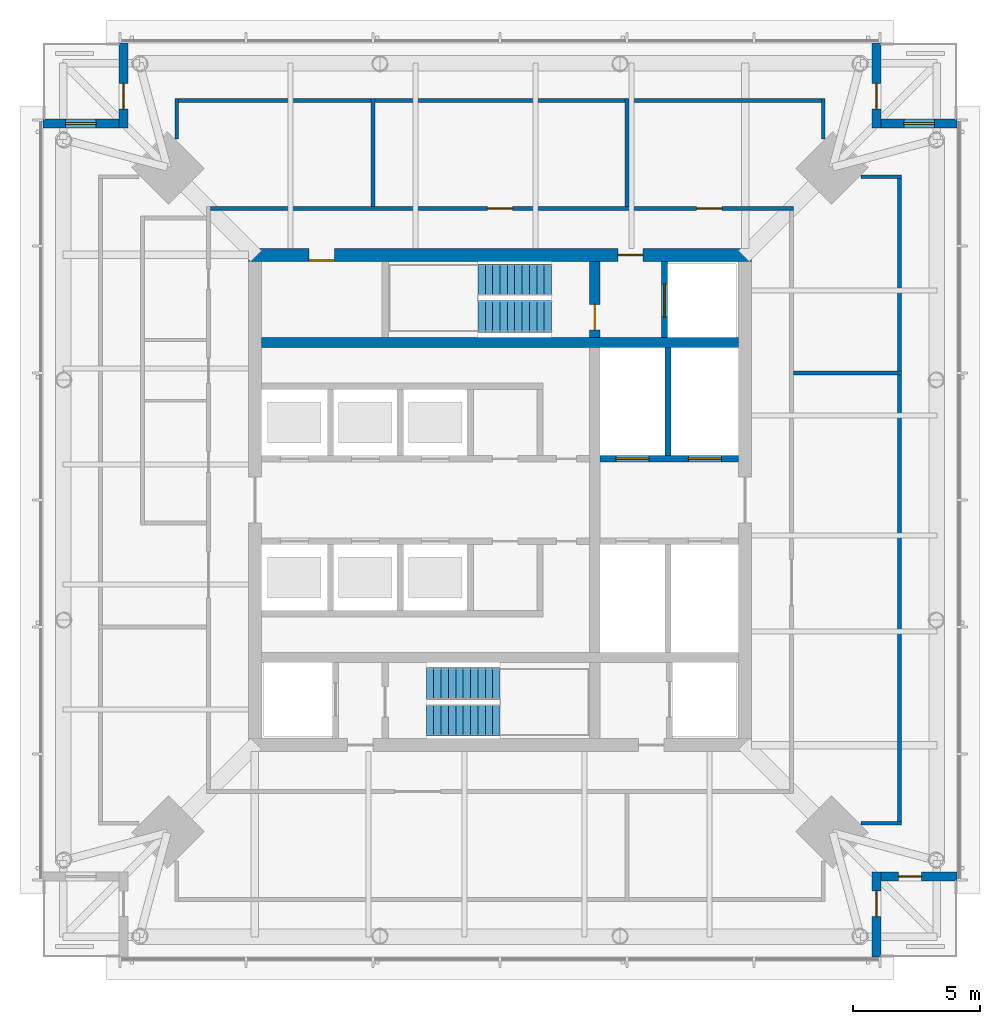
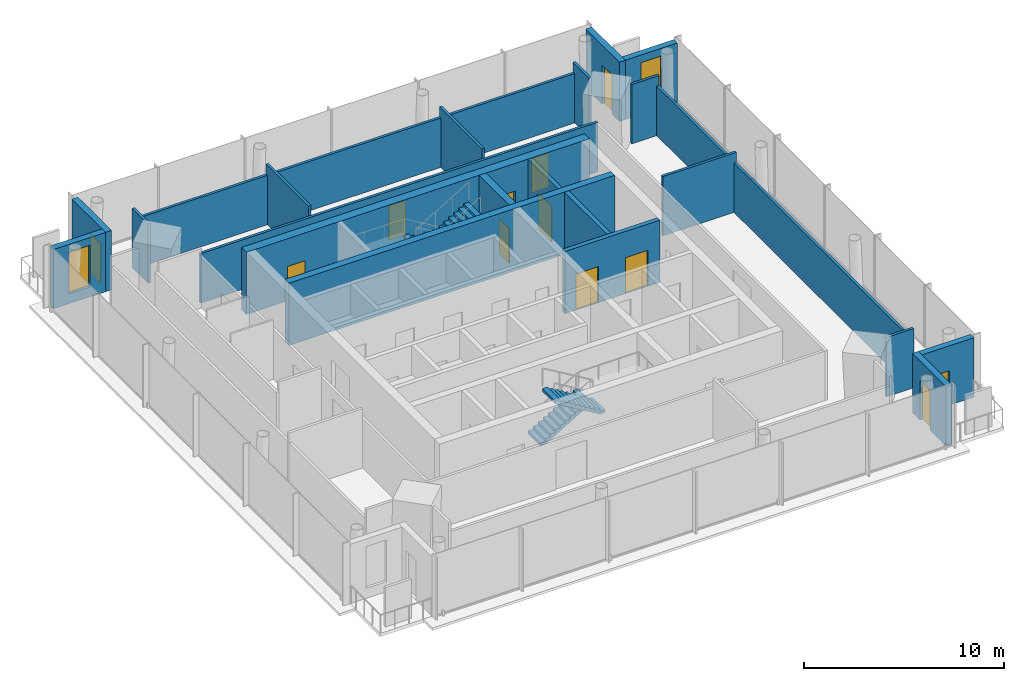
# One storey, part 5 of 10: 22 walls, 12 doors, 4 stair flights, 2 windows, 14 openings, 2 elements without a shape of their own.
"""IFC4 building model written with IfcOpenShell, lengths in metres."""

from ifc_helpers import new_model, si_unit, direction, frame, frame_2d, origin, place, context, subcontext, project, spatial, polyline, rectangle, outline, extrude, material, layer, layer_set, type_object, element, fill, aggregate, save


model = new_model("IFC4")

# Units and contexts
model_context = context("Model", 3, precision=1e-05, world=origin(), true_north=direction((0.0, 1.0)))
body_context = subcontext(model_context, "Body", "Model", "MODEL_VIEW")
ifc_project = project(units=[si_unit("LENGTHUNIT", "METRE"), si_unit("AREAUNIT", "SQUARE_METRE"), si_unit("VOLUMEUNIT", "CUBIC_METRE"), si_unit("PLANEANGLEUNIT", "RADIAN"), si_unit("MASSUNIT", "GRAM", prefix="KILO")], contexts=[model_context])

# Site, building, storey
site_placement = place(None, origin())
site = spatial("IfcSite", under=ifc_project, at=site_placement, CompositionType="ELEMENT")
building_placement = place(site_placement, origin())
building = spatial("IfcBuilding", under=site, at=building_placement, Name="Ostroluk Exchange", CompositionType="ELEMENT")
storey_placement = place(building_placement, frame((0.0, 0.0, 233.800048828125)))
storey = spatial("IfcBuildingStorey", under=building, at=storey_placement, Name="L60", CompositionType="ELEMENT", Elevation=233.800048828125)

# Wall
ifc_material_1 = material(Name="Concrete C50/60", Category="concrete")
ifc_layer_1 = layer(ifc_material_1, 0.39990234375)
ifc_layer_set_1 = layer_set([ifc_layer_1], Name="Core cross wall 400 C50/60")
wall_type_1 = type_object("IfcWallType", Name="Core cross wall 400 C50/60", PredefinedType="SHEAR", material=ifc_layer_set_1)
wall_1_placement = place(storey_placement, frame((35.60009765625, 52.199951171875, 0.0), z_axis=(0.0, 0.0, 1.0), x_axis=(1.0, 0.0, 0.0)))
element("IfcWall", 1, at=wall_1_placement, inside=storey, type_object=wall_type_1, Name="T1 core wall XN", PredefinedType="SHEAR", context=body_context, shape_type="SweptSolid", body=[
    extrude(rectangle(XDim=18.7998046875, YDim=0.39990234375, at=frame_2d((9.39990234375, 0.0))), origin(), (0.0, 0.0, 1.0), 3.800048828125),
])

# Wall, opening, door
wall_2_placement = place(storey_placement, frame((48.72998046875, 52.39990234375, 0.0), z_axis=(0.0, 0.0, 1.0), x_axis=(0.0, 1.0, 0.0)))
wall_2 = element("IfcWall", 2, at=wall_2_placement, inside=storey, type_object=wall_type_1, Name="T1 core wall YE3", PredefinedType="SHEAR", context=body_context, shape_type="SweptSolid", body=[
    extrude(rectangle(XDim=3.0, YDim=0.39990234375, at=frame_2d((1.5, 0.0))), origin(), (0.0, 0.0, 1.0), 3.800048828125),
])
opening_1_placement = place(wall_2_placement, frame((0.300048828125, 0.0, 0.0)))
opening_1 = element("IfcOpeningElement", 3, at=opening_1_placement, cuts=wall_2, Name="Opening FD60", PredefinedType="OPENING", context=body_context, shape_type="SweptSolid", body=[
    extrude(rectangle(XDim=1.0, YDim=2.10009765625, at=frame_2d((0.5, 1.050048828125))), frame((0.0, 0.2099609375, 0.0), z_axis=(0.0, -1.0, 0.0), x_axis=(1.0, 0.0, 0.0)), (0.0, 0.0, 1.0), 0.419921875),
])
ifc_material_2 = material(Name="Steel", Category="steel")
door_type_1 = type_object("IfcDoorType", Name="Fire door EI 60 1000 x 2100", OperationType="SINGLE_SWING_LEFT", PredefinedType="DOOR", material=ifc_material_2)
door_1_placement = place(opening_1_placement, origin())
door_1 = element("IfcDoor", 4, at=door_1_placement, inside=storey, type_object=door_type_1, Name="Stair T1-S2 door", OperationType="SINGLE_SWING_LEFT", OverallHeight=2.10009765625, OverallWidth=1.0, PredefinedType="DOOR", context=body_context, shape_type="SweptSolid", body=[
    extrude(rectangle(XDim=1.0, YDim=2.10009765625, at=frame_2d((0.5, 1.050048828125))), frame((0.0, 0.02490234375, 0.0), z_axis=(0.0, -1.0, 0.0), x_axis=(1.0, 0.0, 0.0)), (0.0, 0.0, 1.0), 0.050048828125),
])
fill(opening_1, door_1)

ifc_material_3 = material(Name="Concrete C40/50", Category="concrete")
ifc_layer_2 = layer(ifc_material_3, 0.25)
ifc_layer_set_2 = layer_set([ifc_layer_2], Name="Core shaft wall 250")
wall_type_2 = type_object("IfcWallType", Name="Core shaft wall 250", PredefinedType="SHEAR", material=ifc_layer_set_2)
wall_3_placement = place(storey_placement, frame((51.47509765625, 52.39990234375, 0.0), z_axis=(0.0, 0.0, 1.0), x_axis=(0.0, 1.0, 0.0)))
wall_3 = element("IfcWall", 5, at=wall_3_placement, inside=storey, type_object=wall_type_2, Name="Firefighting lift shaft wall", PredefinedType="SHEAR", context=body_context, shape_type="SweptSolid", body=[
    extrude(rectangle(XDim=3.0, YDim=0.25, at=frame_2d((1.5, 0.0))), origin(), (0.0, 0.0, 1.0), 3.800048828125),
])
opening_2_placement = place(wall_3_placement, frame((0.800048828125, 0.0, 0.0)))
opening_2 = element("IfcOpeningElement", 6, at=opening_2_placement, cuts=wall_3, Name="Opening LD2", PredefinedType="OPENING", context=body_context, shape_type="SweptSolid", body=[
    extrude(rectangle(XDim=1.300048828125, YDim=2.199951171875, at=frame_2d((0.64990234375, 1.10009765625))), frame((0.0, 0.135009765625, 0.0), z_axis=(0.0, -1.0, 0.0), x_axis=(1.0, 0.0, 0.0)), (0.0, 0.0, 1.0), 0.27001953125),
])
ifc_material_4 = material(Name="Stainless steel", Category="steel")
door_type_2 = type_object("IfcDoorType", Name="Lift landing door E 60 1300 x 2200", OperationType="DOUBLE_DOOR_SLIDING", PredefinedType="DOOR", material=ifc_material_4)
door_2_placement = place(opening_2_placement, origin())
door_2 = element("IfcDoor", 7, at=door_2_placement, inside=storey, type_object=door_type_2, Name="Lift FL2 landing door", OperationType="DOUBLE_DOOR_SLIDING", OverallHeight=2.199951171875, OverallWidth=1.300048828125, PredefinedType="DOOR", context=body_context, shape_type="SweptSolid", body=[
    extrude(rectangle(XDim=1.300048828125, YDim=2.199951171875, at=frame_2d((0.64990234375, 1.10009765625))), frame((0.0, 0.02490234375, 0.0), z_axis=(0.0, -1.0, 0.0), x_axis=(1.0, 0.0, 0.0)), (0.0, 0.0, 1.0), 0.050048828125),
])
fill(opening_2, door_2)

# Wall
wall_4_placement = place(storey_placement, frame((51.614990234375, 47.75, 0.0), z_axis=(0.0, 0.0, 1.0), x_axis=(0.0, 1.0, 0.0)))
element("IfcWall", 8, at=wall_4_placement, inside=storey, type_object=wall_type_2, Name="Lift shaft wall", PredefinedType="SHEAR", context=body_context, shape_type="SweptSolid", body=[
    extrude(rectangle(XDim=4.25, YDim=0.25, at=frame_2d((2.125, 0.0))), origin(), (0.0, 0.0, 1.0), 3.800048828125),
])

# Wall, openings, doors
wall_5_placement = place(storey_placement, frame((48.929931640625, 47.625, 0.0), z_axis=(0.0, 0.0, 1.0), x_axis=(1.0, 0.0, 0.0)))
wall_5 = element("IfcWall", 9, at=wall_5_placement, inside=storey, type_object=wall_type_2, Name="Lift shaft front wall", PredefinedType="SHEAR", context=body_context, shape_type="SweptSolid", body=[
    extrude(rectangle(XDim=5.469970703125, YDim=0.25, at=frame_2d((2.73486328125, 0.0))), origin(), (0.0, 0.0, 1.0), 3.800048828125),
])
opening_3_placement = place(wall_5_placement, frame((0.6298828125, 0.0, 0.0)))
opening_3 = element("IfcOpeningElement", 10, at=opening_3_placement, cuts=wall_5, Name="Opening LD2", PredefinedType="OPENING", context=body_context, shape_type="SweptSolid", body=[
    extrude(rectangle(XDim=1.300048828125, YDim=2.199951171875, at=frame_2d((0.64990234375, 1.10009765625))), frame((0.0, 0.135009765625, 0.0), z_axis=(0.0, -1.0, 0.0), x_axis=(1.0, 0.0, 0.0)), (0.0, 0.0, 1.0), 0.27001953125),
])
opening_4_placement = place(wall_5_placement, frame((3.489990234375, 0.0, 0.0)))
opening_4 = element("IfcOpeningElement", 11, at=opening_4_placement, cuts=wall_5, Name="Opening LD2", PredefinedType="OPENING", context=body_context, shape_type="SweptSolid", body=[
    extrude(rectangle(XDim=1.300048828125, YDim=2.199951171875, at=frame_2d((0.64990234375, 1.10009765625))), frame((0.0, 0.135009765625, 0.0), z_axis=(0.0, -1.0, 0.0), x_axis=(1.0, 0.0, 0.0)), (0.0, 0.0, 1.0), 0.27001953125),
])
door_3_placement = place(opening_3_placement, origin())
door_3 = element("IfcDoor", 12, at=door_3_placement, inside=storey, type_object=door_type_2, Name="Lift SX1 landing door", OperationType="DOUBLE_DOOR_SLIDING", OverallHeight=2.199951171875, OverallWidth=1.300048828125, PredefinedType="DOOR", context=body_context, shape_type="SweptSolid", body=[
    extrude(rectangle(XDim=1.300048828125, YDim=2.199951171875, at=frame_2d((0.64990234375, 1.10009765625))), frame((0.0, 0.02490234375, 0.0), z_axis=(0.0, -1.0, 0.0), x_axis=(1.0, 0.0, 0.0)), (0.0, 0.0, 1.0), 0.050048828125),
])
fill(opening_3, door_3)
door_4_placement = place(opening_4_placement, origin())
door_4 = element("IfcDoor", 13, at=door_4_placement, inside=storey, type_object=door_type_2, Name="Lift SX2 landing door", OperationType="DOUBLE_DOOR_SLIDING", OverallHeight=2.199951171875, OverallWidth=1.300048828125, PredefinedType="DOOR", context=body_context, shape_type="SweptSolid", body=[
    extrude(rectangle(XDim=1.300048828125, YDim=2.199951171875, at=frame_2d((0.64990234375, 1.10009765625))), frame((0.0, 0.02490234375, 0.0), z_axis=(0.0, -1.0, 0.0), x_axis=(1.0, 0.0, 0.0)), (0.0, 0.0, 1.0), 0.050048828125),
])
fill(opening_4, door_4)

ifc_material_5 = material(Name="Concrete C50/60", Category="concrete")
ifc_layer_3 = layer(ifc_material_5, 0.5)
ifc_layer_set_3 = layer_set([ifc_layer_3], Name="Core wall 500 C50/60")
wall_type_3 = type_object("IfcWallType", Name="Core wall 500 C50/60", PredefinedType="SHEAR", material=ifc_layer_set_3)
wall_6_placement = place(storey_placement, frame((35.10009765625, 55.64990234375, 0.0), z_axis=(0.0, 0.0, 1.0), x_axis=(1.0, 0.0, 0.0)))
wall_6 = element("IfcWall", 14, at=wall_6_placement, inside=storey, type_object=wall_type_3, Name="T1 core wall N", PredefinedType="SHEAR", context=body_context, shape_type="SweptSolid", body=[
    extrude(rectangle(XDim=19.7998046875, YDim=0.5, at=frame_2d((9.89990234375, 0.0))), origin(), (0.0, 0.0, 1.0), 3.800048828125),
])
opening_5_placement = place(wall_6_placement, frame((14.5400390625, 0.0, 0.0)))
opening_5 = element("IfcOpeningElement", 15, at=opening_5_placement, cuts=wall_6, Name="Opening FD60", PredefinedType="OPENING", context=body_context, shape_type="SweptSolid", body=[
    extrude(rectangle(XDim=1.0, YDim=2.10009765625, at=frame_2d((0.5, 1.050048828125))), frame((0.0, 0.260009765625, 0.0), z_axis=(0.0, -1.0, 0.0), x_axis=(1.0, 0.0, 0.0)), (0.0, 0.0, 1.0), 0.52001953125),
])
opening_6_placement = place(wall_6_placement, frame((2.375, 0.0, 0.0)))
opening_6 = element("IfcOpeningElement", 16, at=opening_6_placement, cuts=wall_6, Name="Opening FD60", PredefinedType="OPENING", context=body_context, shape_type="SweptSolid", body=[
    extrude(rectangle(XDim=1.0, YDim=2.10009765625, at=frame_2d((0.5, 1.050048828125))), frame((0.0, 0.260009765625, 0.0), z_axis=(0.0, -1.0, 0.0), x_axis=(1.0, 0.0, 0.0)), (0.0, 0.0, 1.0), 0.52001953125),
])
door_5_placement = place(opening_5_placement, origin())
door_5 = element("IfcDoor", 17, at=door_5_placement, inside=storey, type_object=door_type_1, Name="Firefighting lobby door", OperationType="SINGLE_SWING_RIGHT", OverallHeight=2.10009765625, OverallWidth=1.0, PredefinedType="DOOR", context=body_context, shape_type="SweptSolid", body=[
    extrude(rectangle(XDim=1.0, YDim=2.10009765625, at=frame_2d((0.5, 1.050048828125))), frame((0.0, 0.02490234375, 0.0), z_axis=(0.0, -1.0, 0.0), x_axis=(1.0, 0.0, 0.0)), (0.0, 0.0, 1.0), 0.050048828125),
])
fill(opening_5, door_5)
door_6_placement = place(opening_6_placement, origin())
door_6 = element("IfcDoor", 18, at=door_6_placement, inside=storey, type_object=door_type_1, Name="Concierge office door", OperationType="SINGLE_SWING_LEFT", OverallHeight=2.10009765625, OverallWidth=1.0, PredefinedType="DOOR", context=body_context, shape_type="SweptSolid", body=[
    extrude(rectangle(XDim=1.0, YDim=2.10009765625, at=frame_2d((0.5, 1.050048828125))), frame((0.0, -0.18994140625, 0.0), z_axis=(0.0, -1.0, 0.0), x_axis=(1.0, 0.0, 0.0)), (0.0, 0.0, 1.0), 0.050048828125),
])
fill(opening_6, door_6)

# Wall, opening, door
ifc_material_6 = material(Name="Limestone", Category="masonry")
ifc_layer_4 = layer(ifc_material_6, 0.35009765625)
ifc_layer_set_4 = layer_set([ifc_layer_4], Name="Limestone facade wall 350")
wall_type_4 = type_object("IfcWallType", Name="Limestone facade wall 350", PredefinedType="SOLIDWALL", material=ifc_layer_set_4)
wall_7_placement = place(storey_placement, frame((59.824951171875, 28.0, 0.0), z_axis=(0.0, 0.0, 1.0), x_axis=(0.0, 1.0, 0.0)))
wall_7 = element("IfcWall", 19, at=wall_7_placement, inside=storey, type_object=wall_type_4, Name="Office tower SE corner wall L60 a", PredefinedType="SOLIDWALL", context=body_context, shape_type="SweptSolid", body=[
    extrude(rectangle(XDim=3.35009765625, YDim=0.35009765625, at=frame_2d((1.675048828125, 0.0))), origin(), (0.0, 0.0, 1.0), 3.619873046875),
])
opening_7_placement = place(wall_7_placement, frame((1.60009765625, 0.0, 0.0)))
opening_7 = element("IfcOpeningElement", 20, at=opening_7_placement, cuts=wall_7, Name="Opening D-B1", PredefinedType="OPENING", context=body_context, shape_type="SweptSolid", body=[
    extrude(rectangle(XDim=1.0, YDim=2.39990234375, at=frame_2d((0.5, 1.199951171875))), frame((0.0, 0.18505859375, 0.0), z_axis=(0.0, -1.0, 0.0), x_axis=(1.0, 0.0, 0.0)), (0.0, 0.0, 1.0), 0.3701171875),
])
ifc_material_7 = material(Name="Bronze framed glazed door", Category="aluminium")
door_type_3 = type_object("IfcDoorType", Name="Balcony door 1000 x 2400", OperationType="SINGLE_SWING_LEFT", PredefinedType="DOOR", material=ifc_material_7)
door_7_placement = place(opening_7_placement, origin())
door_7 = element("IfcDoor", 21, at=door_7_placement, inside=storey, type_object=door_type_3, Name="Office tower SE balcony door L60", OperationType="SINGLE_SWING_RIGHT", OverallHeight=2.39990234375, OverallWidth=1.0, PredefinedType="DOOR", context=body_context, shape_type="SweptSolid", body=[
    extrude(rectangle(XDim=1.0, YDim=2.39990234375, at=frame_2d((0.5, 1.199951171875))), frame((0.0, 0.02490234375, 0.0), z_axis=(0.0, -1.0, 0.0), x_axis=(1.0, 0.0, 0.0)), (0.0, 0.0, 1.0), 0.050048828125),
])
fill(opening_7, door_7)

wall_8_placement = place(storey_placement, frame((60.0, 31.175048828125, 0.0), z_axis=(0.0, 0.0, 1.0), x_axis=(1.0, 0.0, 0.0)))
wall_8 = element("IfcWall", 22, at=wall_8_placement, inside=storey, type_object=wall_type_4, Name="Office tower SE corner wall L60 b", PredefinedType="SOLIDWALL", context=body_context, shape_type="SweptSolid", body=[
    extrude(rectangle(XDim=3.0, YDim=0.35009765625, at=frame_2d((1.5, 0.0))), origin(), (0.0, 0.0, 1.0), 3.619873046875),
])
opening_8_placement = place(wall_8_placement, frame((0.699951171875, 0.0, 0.0)))
opening_8 = element("IfcOpeningElement", 23, at=opening_8_placement, cuts=wall_8, Name="Opening D-M1", PredefinedType="OPENING", context=body_context, shape_type="SweptSolid", body=[
    extrude(rectangle(XDim=0.89990234375, YDim=2.10009765625, at=frame_2d((0.449951171875, 1.050048828125))), frame((0.0, 0.18505859375, 0.0), z_axis=(0.0, -1.0, 0.0), x_axis=(1.0, 0.0, 0.0)), (0.0, 0.0, 1.0), 0.3701171875),
])
ifc_material_8 = material(Name="Steel door", Category="steel")
door_type_4 = type_object("IfcDoorType", Name="Maintenance access door 900 x 2100", OperationType="SINGLE_SWING_LEFT", PredefinedType="DOOR", material=ifc_material_8)
door_8_placement = place(opening_8_placement, origin())
door_8 = element("IfcDoor", 24, at=door_8_placement, inside=storey, type_object=door_type_4, Name="Maintenance access door T1 L60 SE", OperationType="SINGLE_SWING_LEFT", OverallHeight=2.10009765625, OverallWidth=0.89990234375, PredefinedType="DOOR", context=body_context, shape_type="SweptSolid", body=[
    extrude(rectangle(XDim=0.89990234375, YDim=2.10009765625, at=frame_2d((0.449951171875, 1.050048828125))), frame((0.0, 0.02490234375, 0.0), z_axis=(0.0, -1.0, 0.0), x_axis=(1.0, 0.0, 0.0)), (0.0, 0.0, 1.0), 0.050048828125),
])
fill(opening_8, door_8)

wall_9_placement = place(storey_placement, frame((59.824951171875, 64.0, 0.0), z_axis=(0.0, 0.0, 1.0), x_axis=(0.0, -1.0, 0.0)))
wall_9 = element("IfcWall", 25, at=wall_9_placement, inside=storey, type_object=wall_type_4, Name="Office tower NE corner wall L60 a", PredefinedType="SOLIDWALL", context=body_context, shape_type="SweptSolid", body=[
    extrude(rectangle(XDim=3.35009765625, YDim=0.35009765625, at=frame_2d((1.675048828125, 0.0))), origin(), (0.0, 0.0, 1.0), 3.619873046875),
])
opening_9_placement = place(wall_9_placement, frame((1.60009765625, 0.0, 0.0)))
opening_9 = element("IfcOpeningElement", 26, at=opening_9_placement, cuts=wall_9, Name="Opening D-B1", PredefinedType="OPENING", context=body_context, shape_type="SweptSolid", body=[
    extrude(rectangle(XDim=1.0, YDim=2.39990234375, at=frame_2d((0.5, 1.199951171875))), frame((0.0, 0.18505859375, 0.0), z_axis=(0.0, -1.0, 0.0), x_axis=(1.0, 0.0, 0.0)), (0.0, 0.0, 1.0), 0.3701171875),
])
door_9_placement = place(opening_9_placement, origin())
door_9 = element("IfcDoor", 27, at=door_9_placement, inside=storey, type_object=door_type_3, Name="Office tower NE balcony door L60", OperationType="SINGLE_SWING_RIGHT", OverallHeight=2.39990234375, OverallWidth=1.0, PredefinedType="DOOR", context=body_context, shape_type="SweptSolid", body=[
    extrude(rectangle(XDim=1.0, YDim=2.39990234375, at=frame_2d((0.5, 1.199951171875))), frame((0.0, 0.02490234375, 0.0), z_axis=(0.0, -1.0, 0.0), x_axis=(1.0, 0.0, 0.0)), (0.0, 0.0, 1.0), 0.050048828125),
])
fill(opening_9, door_9)

# Wall, opening, window
wall_10_placement = place(storey_placement, frame((60.0, 60.824951171875, 0.0), z_axis=(0.0, 0.0, 1.0), x_axis=(1.0, 0.0, 0.0)))
wall_10 = element("IfcWall", 28, at=wall_10_placement, inside=storey, type_object=wall_type_4, Name="Office tower NE corner wall L60 b", PredefinedType="SOLIDWALL", context=body_context, shape_type="SweptSolid", body=[
    extrude(rectangle(XDim=3.0, YDim=0.35009765625, at=frame_2d((1.5, 0.0))), origin(), (0.0, 0.0, 1.0), 3.619873046875),
])
opening_10_placement = place(wall_10_placement, frame((0.89990234375, 0.0, 0.60009765625)))
opening_10 = element("IfcOpeningElement", 29, at=opening_10_placement, cuts=wall_10, Name="Opening WN-L1", PredefinedType="OPENING", context=body_context, shape_type="SweptSolid", body=[
    extrude(rectangle(XDim=1.199951171875, YDim=2.550048828125, at=frame_2d((0.60009765625, 1.27490234375))), frame((0.0, 0.18505859375, 0.0), z_axis=(0.0, -1.0, 0.0), x_axis=(1.0, 0.0, 0.0)), (0.0, 0.0, 1.0), 0.3701171875),
])
ifc_material_9 = material(Name="Laminated clear glass", Category="glass")
window_type = type_object("IfcWindowType", Name="Lancet window 1200 x 2550", PartitioningType="SINGLE_PANEL", PredefinedType="WINDOW", material=ifc_material_9)
window_1_placement = place(opening_10_placement, origin())
window_1 = element("IfcWindow", 30, at=window_1_placement, inside=storey, type_object=window_type, Name="Office tower NE lancet window L60", OverallHeight=2.550048828125, OverallWidth=1.199951171875, PartitioningType="SINGLE_PANEL", PredefinedType="WINDOW", context=body_context, shape_type="SweptSolid", body=[
    extrude(rectangle(XDim=1.199951171875, YDim=2.550048828125, at=frame_2d((0.60009765625, 1.27490234375))), frame((0.0, 0.030029296875, 0.0), z_axis=(0.0, -1.0, 0.0), x_axis=(1.0, 0.0, 0.0)), (0.0, 0.0, 1.0), 0.06005859375),
])
fill(opening_10, window_1)

# Wall, opening, door
wall_11_placement = place(storey_placement, frame((30.175048828125, 64.0, 0.0), z_axis=(0.0, 0.0, 1.0), x_axis=(0.0, -1.0, 0.0)))
wall_11 = element("IfcWall", 31, at=wall_11_placement, inside=storey, type_object=wall_type_4, Name="Office tower NW corner wall L60 a", PredefinedType="SOLIDWALL", context=body_context, shape_type="SweptSolid", body=[
    extrude(rectangle(XDim=3.35009765625, YDim=0.35009765625, at=frame_2d((1.675048828125, 0.0))), origin(), (0.0, 0.0, 1.0), 3.619873046875),
])
opening_11_placement = place(wall_11_placement, frame((1.60009765625, 0.0, 0.0)))
opening_11 = element("IfcOpeningElement", 32, at=opening_11_placement, cuts=wall_11, Name="Opening D-B1", PredefinedType="OPENING", context=body_context, shape_type="SweptSolid", body=[
    extrude(rectangle(XDim=1.0, YDim=2.39990234375, at=frame_2d((0.5, 1.199951171875))), frame((0.0, 0.18505859375, 0.0), z_axis=(0.0, -1.0, 0.0), x_axis=(1.0, 0.0, 0.0)), (0.0, 0.0, 1.0), 0.3701171875),
])
door_10_placement = place(opening_11_placement, origin())
door_10 = element("IfcDoor", 33, at=door_10_placement, inside=storey, type_object=door_type_3, Name="Office tower NW balcony door L60", OperationType="SINGLE_SWING_RIGHT", OverallHeight=2.39990234375, OverallWidth=1.0, PredefinedType="DOOR", context=body_context, shape_type="SweptSolid", body=[
    extrude(rectangle(XDim=1.0, YDim=2.39990234375, at=frame_2d((0.5, 1.199951171875))), frame((0.0, 0.02490234375, 0.0), z_axis=(0.0, -1.0, 0.0), x_axis=(1.0, 0.0, 0.0)), (0.0, 0.0, 1.0), 0.050048828125),
])
fill(opening_11, door_10)

# Wall, opening, window
wall_12_placement = place(storey_placement, frame((30.0, 60.824951171875, 0.0), z_axis=(0.0, 0.0, 1.0), x_axis=(-1.0, 0.0, 0.0)))
wall_12 = element("IfcWall", 34, at=wall_12_placement, inside=storey, type_object=wall_type_4, Name="Office tower NW corner wall L60 b", PredefinedType="SOLIDWALL", context=body_context, shape_type="SweptSolid", body=[
    extrude(rectangle(XDim=3.0, YDim=0.35009765625, at=frame_2d((1.5, 0.0))), origin(), (0.0, 0.0, 1.0), 3.619873046875),
])
opening_12_placement = place(wall_12_placement, frame((0.89990234375, 0.0, 0.60009765625)))
opening_12 = element("IfcOpeningElement", 35, at=opening_12_placement, cuts=wall_12, Name="Opening WN-L1", PredefinedType="OPENING", context=body_context, shape_type="SweptSolid", body=[
    extrude(rectangle(XDim=1.199951171875, YDim=2.550048828125, at=frame_2d((0.60009765625, 1.27490234375))), frame((0.0, 0.18505859375, 0.0), z_axis=(0.0, -1.0, 0.0), x_axis=(1.0, 0.0, 0.0)), (0.0, 0.0, 1.0), 0.3701171875),
])
window_2_placement = place(opening_12_placement, origin())
window_2 = element("IfcWindow", 36, at=window_2_placement, inside=storey, type_object=window_type, Name="Office tower NW lancet window L60", OverallHeight=2.550048828125, OverallWidth=1.199951171875, PartitioningType="SINGLE_PANEL", PredefinedType="WINDOW", context=body_context, shape_type="SweptSolid", body=[
    extrude(rectangle(XDim=1.199951171875, YDim=2.550048828125, at=frame_2d((0.60009765625, 1.27490234375))), frame((0.0, 0.030029296875, 0.0), z_axis=(0.0, -1.0, 0.0), x_axis=(1.0, 0.0, 0.0)), (0.0, 0.0, 1.0), 0.06005859375),
])
fill(opening_12, window_2)

# Walls
ifc_material_10 = material(Name="Gypsum plasterboard partition", Category="gypsum")
ifc_layer_5 = layer(ifc_material_10, 0.14990234375)
ifc_layer_set_5 = layer_set([ifc_layer_5], Name="Plasterboard partition 150")
wall_type_5 = type_object("IfcWallType", Name="Plasterboard partition 150", PredefinedType="PARTITIONING", material=ifc_layer_set_5)
for number, where, z_axis, x_axis, name in (
    (37, (56.550048828125, 51.0, 0.0), (0.0, 0.0, 1.0), (1.0, 0.0, 0.0), "Partition"),
    (38, (50.0, 57.550048828125, 0.0), (0.0, 0.0, 1.0), (0.0, 1.0, 0.0), "Partition"),
):
    element("IfcWall", number, at=place(storey_placement, frame(where, z_axis=z_axis, x_axis=x_axis)), inside=storey, type_object=wall_type_5, Name=name, PredefinedType="PARTITIONING", context=body_context, shape_type="SweptSolid", body=[
        extrude(rectangle(XDim=4.25, YDim=0.14990234375, at=frame_2d((2.125, 0.0))), origin(), (0.0, 0.0, 1.0), 3.619873046875),
    ])

# Wall, openings, doors
wall_13_placement = place(storey_placement, frame((56.550048828125, 57.47509765625, 0.0), z_axis=(0.0, 0.0, 1.0), x_axis=(-1.0, 0.0, 0.0)))
wall_13 = element("IfcWall", 39, at=wall_13_placement, inside=storey, type_object=wall_type_5, Name="Corridor wall", PredefinedType="PARTITIONING", context=body_context, shape_type="SweptSolid", body=[
    extrude(rectangle(XDim=22.949951171875, YDim=0.14990234375, at=frame_2d((11.47509765625, 0.0))), origin(), (0.0, 0.0, 1.0), 3.02001953125),
])
opening_13_placement = place(wall_13_placement, frame((2.8125, 0.0, 0.0)))
opening_13 = element("IfcOpeningElement", 40, at=opening_13_placement, cuts=wall_13, Name="Opening D-03", PredefinedType="OPENING", context=body_context, shape_type="SweptSolid", body=[
    extrude(rectangle(XDim=1.0, YDim=2.10009765625, at=frame_2d((0.5, 1.050048828125))), frame((0.0, 0.0849609375, 0.0), z_axis=(0.0, -1.0, 0.0), x_axis=(1.0, 0.0, 0.0)), (0.0, 0.0, 1.0), 0.169921875),
])
opening_14_placement = place(wall_13_placement, frame((11.050048828125, 0.0, 0.0)))
opening_14 = element("IfcOpeningElement", 41, at=opening_14_placement, cuts=wall_13, Name="Opening D-03", PredefinedType="OPENING", context=body_context, shape_type="SweptSolid", body=[
    extrude(rectangle(XDim=1.0, YDim=2.10009765625, at=frame_2d((0.5, 1.050048828125))), frame((0.0, 0.0849609375, 0.0), z_axis=(0.0, -1.0, 0.0), x_axis=(1.0, 0.0, 0.0)), (0.0, 0.0, 1.0), 0.169921875),
])
ifc_material_11 = material(Name="Timber", Category="wood")
door_type_5 = type_object("IfcDoorType", Name="Internal door 1000 x 2100", OperationType="SINGLE_SWING_LEFT", PredefinedType="DOOR", material=ifc_material_11)
door_11_placement = place(opening_13_placement, origin())
door_11 = element("IfcDoor", 42, at=door_11_placement, inside=storey, type_object=door_type_5, Name="Meeting room door", OperationType="SINGLE_SWING_LEFT", OverallHeight=2.10009765625, OverallWidth=1.0, PredefinedType="DOOR", context=body_context, shape_type="SweptSolid", body=[
    extrude(rectangle(XDim=1.0, YDim=2.10009765625, at=frame_2d((0.5, 1.050048828125))), frame((0.0, 0.02490234375, 0.0), z_axis=(0.0, -1.0, 0.0), x_axis=(1.0, 0.0, 0.0)), (0.0, 0.0, 1.0), 0.050048828125),
])
fill(opening_13, door_11)
door_12_placement = place(opening_14_placement, origin())
door_12 = element("IfcDoor", 43, at=door_12_placement, inside=storey, type_object=door_type_5, Name="Client meeting room door", OperationType="SINGLE_SWING_RIGHT", OverallHeight=2.10009765625, OverallWidth=1.0, PredefinedType="DOOR", context=body_context, shape_type="SweptSolid", body=[
    extrude(rectangle(XDim=1.0, YDim=2.10009765625, at=frame_2d((0.5, 1.050048828125))), frame((0.0, 0.02490234375, 0.0), z_axis=(0.0, -1.0, 0.0), x_axis=(1.0, 0.0, 0.0)), (0.0, 0.0, 1.0), 0.050048828125),
])
fill(opening_14, door_12)

# Walls
wall_14_placement = place(storey_placement, frame((40.0, 57.550048828125, 0.0), z_axis=(0.0, 0.0, 1.0), x_axis=(0.0, 1.0, 0.0)))
element("IfcWall", 44, at=wall_14_placement, inside=storey, type_object=wall_type_5, Name="Partition", PredefinedType="PARTITIONING", context=body_context, shape_type="SweptSolid", body=[
    extrude(rectangle(XDim=4.25, YDim=0.14990234375, at=frame_2d((2.125, 0.0))), origin(), (0.0, 0.0, 1.0), 3.619873046875),
])
wall_15_placement = place(storey_placement, frame((32.27490234375, 60.214111328125, 0.0), z_axis=(0.0, 0.0, 1.0), x_axis=(0.0, 1.0, 0.0)))
element("IfcWall", 45, at=wall_15_placement, inside=storey, type_object=wall_type_5, Name="Truss zone partition", PredefinedType="PARTITIONING", context=body_context, shape_type="SweptSolid", body=[
    extrude(rectangle(XDim=1.5859375, YDim=0.14990234375, at=frame_2d((0.79296875, 0.0))), origin(), (0.0, 0.0, 1.0), 3.619873046875),
])
wall_16_placement = place(storey_placement, frame((32.199951171875, 61.72509765625, 0.0), z_axis=(0.0, 0.0, 1.0), x_axis=(1.0, 0.0, 0.0)))
element("IfcWall", 46, at=wall_16_placement, inside=storey, type_object=wall_type_5, Name="Truss zone partition", PredefinedType="PARTITIONING", context=body_context, shape_type="SweptSolid", body=[
    extrude(rectangle(XDim=25.60009765625, YDim=0.14990234375, at=frame_2d((12.800048828125, 0.0))), origin(), (0.0, 0.0, 1.0), 3.02001953125),
])
for number, where, z_axis, x_axis, name in (
    (47, (57.72509765625, 61.800048828125, 0.0), (0.0, 0.0, 1.0), (0.0, -1.0, 0.0), "Truss zone partition"),
    (48, (59.214111328125, 58.72509765625, 0.0), (0.0, 0.0, 1.0), (1.0, 0.0, 0.0), "Truss zone partition"),
):
    element("IfcWall", number, at=place(storey_placement, frame(where, z_axis=z_axis, x_axis=x_axis)), inside=storey, type_object=wall_type_5, Name=name, PredefinedType="PARTITIONING", context=body_context, shape_type="SweptSolid", body=[
        extrude(rectangle(XDim=1.5859375, YDim=0.14990234375, at=frame_2d((0.79296875, 0.0))), origin(), (0.0, 0.0, 1.0), 3.619873046875),
    ])
wall_17_placement = place(storey_placement, frame((60.72509765625, 58.800048828125, 0.0), z_axis=(0.0, 0.0, 1.0), x_axis=(0.0, -1.0, 0.0)))
element("IfcWall", 49, at=wall_17_placement, inside=storey, type_object=wall_type_5, Name="Truss zone partition", PredefinedType="PARTITIONING", context=body_context, shape_type="SweptSolid", body=[
    extrude(rectangle(XDim=25.60009765625, YDim=0.14990234375, at=frame_2d((12.800048828125, 0.0))), origin(), (0.0, 0.0, 1.0), 3.02001953125),
])
wall_18_placement = place(storey_placement, frame((60.800048828125, 33.27490234375, 0.0), z_axis=(0.0, 0.0, 1.0), x_axis=(-1.0, 0.0, 0.0)))
element("IfcWall", 50, at=wall_18_placement, inside=storey, type_object=wall_type_5, Name="Truss zone partition", PredefinedType="PARTITIONING", context=body_context, shape_type="SweptSolid", body=[
    extrude(rectangle(XDim=1.5859375, YDim=0.14990234375, at=frame_2d((0.79296875, 0.0))), origin(), (0.0, 0.0, 1.0), 3.619873046875),
])

# Stair, stair flights
ifc_material_12 = material(Name="Concrete C30/37", Category="concrete")
stair_type = type_object("IfcStairType", Name="Exit stair half turn 3800", PredefinedType="HALF_TURN_STAIR", material=ifc_material_12)
stair_1_placement = place(storey_placement, origin())
stair_1 = element("IfcStair", 51, at=stair_1_placement, inside=storey, type_object=stair_type, Name="Stair T1-S1 L60", PredefinedType="HALF_TURN_STAIR")
ifc_material_13 = material(Name="Concrete C30/37", Category="concrete")
stair_flight_type = type_object("IfcStairFlightType", Name="Stair flight 11 risers 172.7 x 290", PredefinedType="STRAIGHT", material=ifc_material_13)
stair_flight_1_placement = place(storey_placement, frame((42.10009765625, 38.77490234375, 0.0), z_axis=(0.0, 0.0, 1.0), x_axis=(1.0, 0.0, 0.0)))
stair_flight_1 = element("IfcStairFlight", 52, at=stair_flight_1_placement, type_object=stair_flight_type, Name="T1-S1 flight 1", NumberOfRisers=11, NumberOfTreads=10, PredefinedType="STRAIGHT", RiserHeight=0.172727273, TreadLength=0.29, context=body_context, shape_type="SweptSolid", body=[
    extrude(outline(polyline([(0.0, 0.0), (0.0, 0.172607421875), (0.2900390625, 0.172607421875), (0.2900390625, 0.345458984375), (0.580078125, 0.345458984375), (0.580078125, 0.51806640625), (0.8701171875, 0.51806640625), (0.8701171875, 0.69091796875), (1.159912109375, 0.69091796875), (1.159912109375, 0.863525390625), (1.449951171875, 0.863525390625), (1.449951171875, 1.036376953125), (1.739990234375, 1.036376953125), (1.739990234375, 1.208984375), (2.030029296875, 1.208984375), (2.030029296875, 1.3818359375), (2.320068359375, 1.3818359375), (2.320068359375, 1.554443359375), (2.610107421875, 1.554443359375), (2.610107421875, 1.727294921875), (2.89990234375, 1.727294921875), (2.89990234375, 1.89990234375), (2.89990234375, 1.552734375), (0.29296875, 0.0), (0.0, 0.0)])), frame((0.0, 0.625, 0.0), z_axis=(0.0, -1.0, 0.0), x_axis=(1.0, 0.0, 0.0)), (0.0, 0.0, 1.0), 1.25),
])
stair_flight_2_placement = place(storey_placement, frame((45.0, 37.324951171875, 1.89990234375), z_axis=(0.0, 0.0, 1.0), x_axis=(-1.0, 0.0, 0.0)))
stair_flight_2 = element("IfcStairFlight", 53, at=stair_flight_2_placement, type_object=stair_flight_type, Name="T1-S1 flight 2", NumberOfRisers=11, NumberOfTreads=10, PredefinedType="STRAIGHT", RiserHeight=0.172727273, TreadLength=0.29, context=body_context, shape_type="SweptSolid", body=[
    extrude(outline(polyline([(0.0, 0.0), (0.0, 0.172607421875), (0.2900390625, 0.172607421875), (0.2900390625, 0.345458984375), (0.580078125, 0.345458984375), (0.580078125, 0.51806640625), (0.8701171875, 0.51806640625), (0.8701171875, 0.69091796875), (1.159912109375, 0.69091796875), (1.159912109375, 0.863525390625), (1.449951171875, 0.863525390625), (1.449951171875, 1.036376953125), (1.739990234375, 1.036376953125), (1.739990234375, 1.208984375), (2.030029296875, 1.208984375), (2.030029296875, 1.3818359375), (2.320068359375, 1.3818359375), (2.320068359375, 1.554443359375), (2.610107421875, 1.554443359375), (2.610107421875, 1.727294921875), (2.89990234375, 1.727294921875), (2.89990234375, 1.89990234375), (2.89990234375, 1.552734375), (0.29296875, 0.0), (0.0, 0.0)])), frame((0.0, 0.625, 0.0), z_axis=(0.0, -1.0, 0.0), x_axis=(1.0, 0.0, 0.0)), (0.0, 0.0, 1.0), 1.25),
])
aggregate(stair_1, [stair_flight_1, stair_flight_2])

stair_2_placement = place(storey_placement, origin())
stair_2 = element("IfcStair", 54, at=stair_2_placement, inside=storey, type_object=stair_type, Name="Stair T1-S2 L60", PredefinedType="HALF_TURN_STAIR")
stair_flight_3_placement = place(storey_placement, frame((47.030029296875, 54.675048828125, 0.0), z_axis=(0.0, 0.0, 1.0), x_axis=(-1.0, 0.0, 0.0)))
stair_flight_3 = element("IfcStairFlight", 55, at=stair_flight_3_placement, type_object=stair_flight_type, Name="T1-S2 flight 1", NumberOfRisers=11, NumberOfTreads=10, PredefinedType="STRAIGHT", RiserHeight=0.172727273, TreadLength=0.29, context=body_context, shape_type="SweptSolid", body=[
    extrude(outline(polyline([(0.0, 0.0), (0.0, 0.172607421875), (0.2900390625, 0.172607421875), (0.2900390625, 0.345458984375), (0.580078125, 0.345458984375), (0.580078125, 0.51806640625), (0.8701171875, 0.51806640625), (0.8701171875, 0.69091796875), (1.159912109375, 0.69091796875), (1.159912109375, 0.863525390625), (1.449951171875, 0.863525390625), (1.449951171875, 1.036376953125), (1.739990234375, 1.036376953125), (1.739990234375, 1.208984375), (2.030029296875, 1.208984375), (2.030029296875, 1.3818359375), (2.320068359375, 1.3818359375), (2.320068359375, 1.554443359375), (2.610107421875, 1.554443359375), (2.610107421875, 1.727294921875), (2.89990234375, 1.727294921875), (2.89990234375, 1.89990234375), (2.89990234375, 1.552734375), (0.29296875, 0.0), (0.0, 0.0)])), frame((0.0, 0.625, 0.0), z_axis=(0.0, -1.0, 0.0), x_axis=(1.0, 0.0, 0.0)), (0.0, 0.0, 1.0), 1.25),
])
stair_flight_4_placement = place(storey_placement, frame((44.1298828125, 53.22509765625, 1.89990234375), z_axis=(0.0, 0.0, 1.0), x_axis=(1.0, 0.0, 0.0)))
stair_flight_4 = element("IfcStairFlight", 56, at=stair_flight_4_placement, type_object=stair_flight_type, Name="T1-S2 flight 2", NumberOfRisers=11, NumberOfTreads=10, PredefinedType="STRAIGHT", RiserHeight=0.172727273, TreadLength=0.29, context=body_context, shape_type="SweptSolid", body=[
    extrude(outline(polyline([(0.0, 0.0), (0.0, 0.172607421875), (0.2900390625, 0.172607421875), (0.2900390625, 0.345458984375), (0.580078125, 0.345458984375), (0.580078125, 0.51806640625), (0.8701171875, 0.51806640625), (0.8701171875, 0.69091796875), (1.159912109375, 0.69091796875), (1.159912109375, 0.863525390625), (1.449951171875, 0.863525390625), (1.449951171875, 1.036376953125), (1.739990234375, 1.036376953125), (1.739990234375, 1.208984375), (2.030029296875, 1.208984375), (2.030029296875, 1.3818359375), (2.320068359375, 1.3818359375), (2.320068359375, 1.554443359375), (2.610107421875, 1.554443359375), (2.610107421875, 1.727294921875), (2.89990234375, 1.727294921875), (2.89990234375, 1.89990234375), (2.89990234375, 1.552734375), (0.29296875, 0.0), (0.0, 0.0)])), frame((0.0, 0.625, 0.0), z_axis=(0.0, -1.0, 0.0), x_axis=(1.0, 0.0, 0.0)), (0.0, 0.0, 1.0), 1.25),
])
aggregate(stair_2, [stair_flight_3, stair_flight_4])

save(model, "model.ifc")
